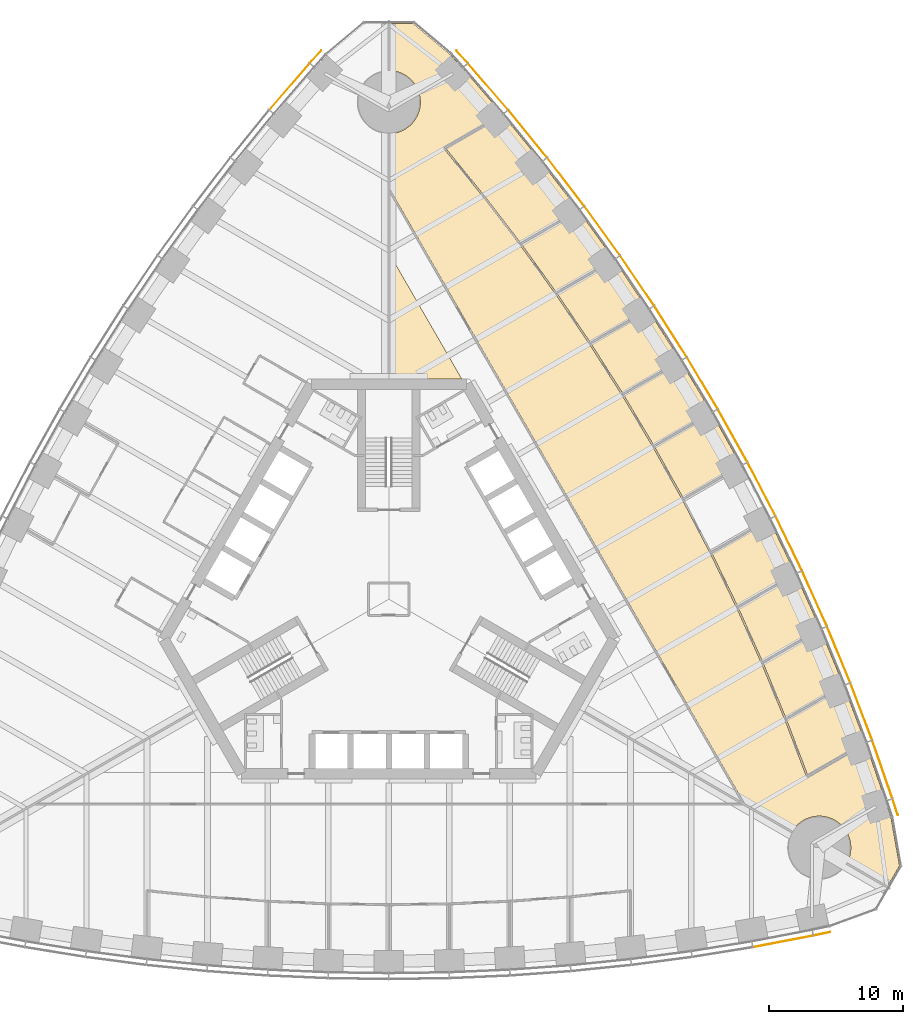
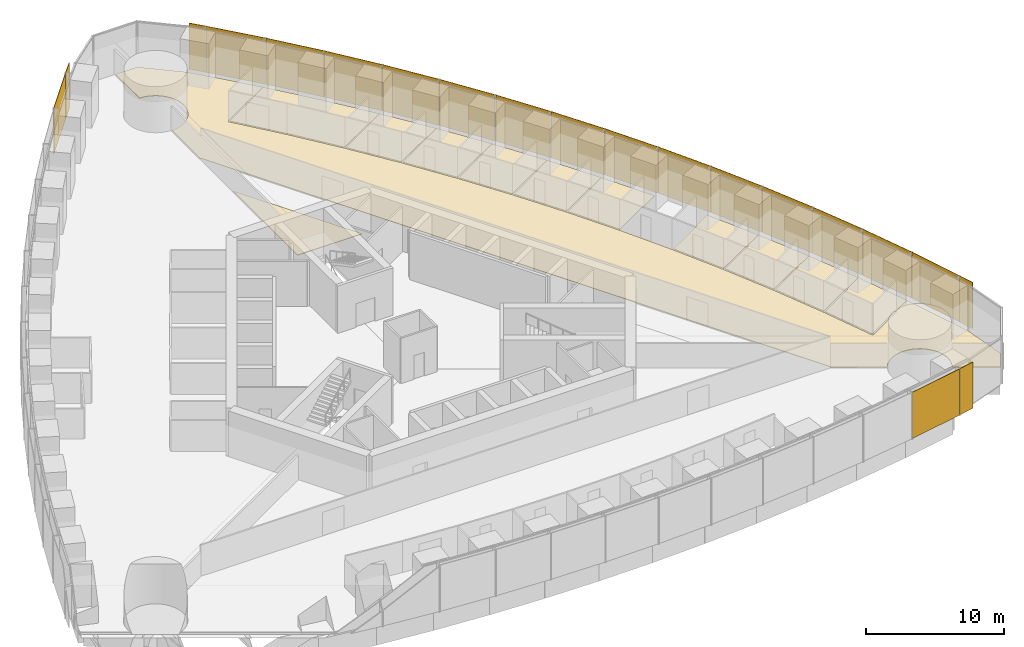
# One storey, part 16 of 18: 20 shading devices, 12 coverings.
"""IFC4 building model written with IfcOpenShell, lengths in metres."""

import ifcopenshell
import ifcopenshell.guid

model = None  # the IFC model being written
_history = None  # IfcOwnerHistory: only IFC2X3 demands one
_inside = {}  # id of a spatial element -> (the spatial element, [elements in it])
_under = {}  # id of a project, library or spatial element -> (it, [spatial elements below it])
_declared = {}  # id of a project -> (the project, [libraries it declares])
_typed = {}  # id of a type object -> (the type object, [elements of that type])
_made_of = {}  # id of a material, layer set ... -> (it, [elements and type objects made of it])


def new_model(schema):
    """Start an empty IFC model of exactly this schema.

    Asked for "IFC4X3", IfcOpenShell would pick the latest addendum, in which some entities
    have other attributes; the version numbers below select the first issue.
    IFC2X3 requires an IfcOwnerHistory on every rooted entity: one is made here for all.
    """
    global model, _history
    if schema == "IFC4X3":
        model = ifcopenshell.file(schema_version=(4, 3, 0, 0))
    else:
        model = ifcopenshell.file(schema=schema)
    _inside.clear()
    _under.clear()
    _declared.clear()
    _typed.clear()
    _made_of.clear()
    _history = None
    if model.schema == "IFC2X3":
        org = make("IfcOrganization", Name="unknown")
        user = make(
            "IfcPersonAndOrganization",
            ThePerson=make("IfcPerson", FamilyName="unknown"),
            TheOrganization=org,
        )
        app = make(
            "IfcApplication",
            ApplicationDeveloper=org,
            Version="unknown",
            ApplicationFullName="unknown",
            ApplicationIdentifier="unknown",
        )
        _history = make(
            "IfcOwnerHistory",
            OwningUser=user,
            OwningApplication=app,
            ChangeAction="ADDED",
            CreationDate=0,
        )
    return model


def make(cls, **values):
    """One entity of the class cls with the attributes given. An attribute that is None is left unset."""
    return model.create_entity(
        cls, **{name: value for name, value in values.items() if value is not None}
    )


def rooted(cls, **values):
    """An entity with a GlobalId (a new one), such as an element, a storey or a relation."""
    return make(cls, GlobalId=ifcopenshell.guid.new(), OwnerHistory=_history, **values)


def si_unit(unit_type, name, prefix=None):
    """IfcSIUnit, for example si_unit("LENGTHUNIT", "METRE", prefix="MILLI")."""
    return make("IfcSIUnit", UnitType=unit_type, Prefix=prefix, Name=name)


def assignment(units):
    """IfcUnitAssignment: the units of a project."""
    return None if units is None else make("IfcUnitAssignment", Units=units)


def point(xyz):
    """IfcCartesianPoint."""
    return None if xyz is None else make("IfcCartesianPoint", Coordinates=xyz)


def direction(xyz):
    """IfcDirection."""
    return None if xyz is None else make("IfcDirection", DirectionRatios=xyz)


def frame(location, z_axis=None, x_axis=None):
    """IfcAxis2Placement3D, a coordinate frame: its origin and axes. An axis left out is left unset."""
    return make(
        "IfcAxis2Placement3D",
        Location=point(location),
        Axis=direction(z_axis),
        RefDirection=direction(x_axis),
    )


def frame_2d(location, x_axis=None):
    """IfcAxis2Placement2D, a coordinate frame in the plane: its origin and x axis."""
    return make(
        "IfcAxis2Placement2D", Location=point(location), RefDirection=direction(x_axis)
    )


def origin():
    """The frame at (0, 0, 0) with its axes left unset."""
    return frame((0.0, 0.0, 0.0))


def origin_2d():
    """The frame at (0, 0) in the plane with its x axis left unset."""
    return frame_2d((0.0, 0.0))


def place(relative_to, where):
    """IfcLocalPlacement: puts the frame where relative to a parent placement (None: the world)."""
    return make(
        "IfcLocalPlacement", PlacementRelTo=relative_to, RelativePlacement=where
    )


def context(
    kind, dimensions, precision=None, world=None, true_north=None, identifier=None
):
    """IfcGeometricRepresentationContext, for example the 3D "Model" context."""
    return make(
        "IfcGeometricRepresentationContext",
        ContextIdentifier=identifier,
        ContextType=kind,
        CoordinateSpaceDimension=dimensions,
        Precision=precision,
        WorldCoordinateSystem=world,
        TrueNorth=true_north,
    )


def subcontext(parent, identifier, kind, view, scale=None):
    """IfcGeometricRepresentationSubContext, for example "Body" below "Model"."""
    return make(
        "IfcGeometricRepresentationSubContext",
        ContextIdentifier=identifier,
        ContextType=kind,
        ParentContext=parent,
        TargetScale=scale,
        TargetView=view,
    )


def project(units=None, contexts=None):
    """IfcProject with its units and contexts."""
    return rooted(
        "IfcProject",
        Name="project",
        RepresentationContexts=contexts,
        UnitsInContext=assignment(units),
    )


def spatial(cls, under=None, at=None, **own):
    """A site, building, storey or space (cls), placed at a placement, below another one or the project."""
    s = rooted(cls, ObjectPlacement=at, **own)
    if under is not None:
        _under.setdefault(under.id(), (under, []))[1].append(s)
    return s


def polyline(points):
    """IfcPolyline through the points."""
    return make("IfcPolyline", Points=[point(p) for p in points])


def profile(cls, at=None, kind="AREA", **sizes):
    """A parametric profile (cls). Its sizes go by their IFC names, for example OverallWidth=200.0."""
    return make(cls, ProfileType=kind, Position=at, **sizes)


def rectangle(**sizes):
    """IfcRectangleProfileDef."""
    return profile("IfcRectangleProfileDef", **sizes)


def outline(outer, holes=None, kind="AREA"):
    """IfcArbitraryClosedProfileDef: a profile drawn as a closed curve; with holes, ...WithVoids."""
    if holes is None:
        return make("IfcArbitraryClosedProfileDef", ProfileType=kind, OuterCurve=outer)
    return make(
        "IfcArbitraryProfileDefWithVoids",
        ProfileType=kind,
        OuterCurve=outer,
        InnerCurves=holes,
    )


def extrude(swept, where, along, depth):
    """IfcExtrudedAreaSolid: the profile swept, set in the frame where, extruded along a direction by depth."""
    return make(
        "IfcExtrudedAreaSolid",
        SweptArea=swept,
        Position=where,
        ExtrudedDirection=direction(along),
        Depth=depth,
    )


def shape(context_of_items, identifier, shape_type, items):
    """IfcShapeRepresentation: the items that make up one representation, for example the "Body"."""
    return make(
        "IfcShapeRepresentation",
        ContextOfItems=context_of_items,
        RepresentationIdentifier=identifier,
        RepresentationType=shape_type,
        Items=items,
    )


def material(Name=None, Category=None):
    """IfcMaterial."""
    return make("IfcMaterial", Name=Name, Category=Category)


def layer(
    of_material, thickness, ventilated=None, Name=None, Category=None, Priority=None
):
    """IfcMaterialLayer: one layer of a wall or slab, of a material (None: an air gap)."""
    return make(
        "IfcMaterialLayer",
        Material=of_material,
        LayerThickness=thickness,
        IsVentilated=ventilated,
        Name=Name,
        Category=Category,
        Priority=Priority,
    )


def layer_set(layers, Name=None):
    """IfcMaterialLayerSet."""
    return make("IfcMaterialLayerSet", MaterialLayers=layers, LayerSetName=Name)


def made_of(thing, what):
    """Note that an element or type object is made of a material, layer set ...; save() writes the relation."""
    if what is not None:
        _made_of.setdefault(what.id(), (what, []))[1].append(thing)
    return thing


def type_object(cls, material=None, **own):
    """A type object (cls), such as IfcWallType, which elements share."""
    return made_of(rooted(cls, **own), material)


def element(
    cls,
    number,
    at=None,
    inside=None,
    cuts=None,
    type_object=None,
    material=None,
    context=None,
    identifier="Body",
    shape_type=None,
    held_by="IfcProductDefinitionShape",
    body=None,
    shapes=None,
    **own,
):
    """One element of the class cls, such as IfcWall. Its Tag is "e" and its number.

    at: its placement. inside: the storey or other place that contains it. cuts: it is an
    opening in that element (IfcRelVoidsElement). A single representation is given by context,
    identifier, shape_type and body (its items); several are given by shapes. held_by: the class
    of the entity that holds the representations. save() writes the other relations.
    """
    e = rooted(cls, Tag="e%d" % number, ObjectPlacement=at, **own)
    if body is not None:
        shapes = [shape(context, identifier, shape_type, body)]
    if shapes is not None:
        e.Representation = make(held_by, Representations=shapes)
    if inside is not None:
        _inside.setdefault(inside.id(), (inside, []))[1].append(e)
    if cuts is not None:
        rooted(
            "IfcRelVoidsElement", RelatingBuildingElement=cuts, RelatedOpeningElement=e
        )
    if type_object is not None:
        _typed.setdefault(type_object.id(), (type_object, []))[1].append(e)
    return made_of(e, material)


def aggregate(whole, parts):
    """IfcRelAggregates: a whole, such as a stair, and the parts it consists of."""
    return rooted("IfcRelAggregates", RelatingObject=whole, RelatedObjects=parts)


def save(model, path):
    """Write the relations noted so far, then the file.

    IfcRelAggregates (storeys below a building ...), IfcRelContainedInSpatialStructure (elements
    in a storey), IfcRelDefinesByType, IfcRelAssociatesMaterial and IfcRelDeclares: one each for
    every whole, place, type object, material and project.
    """
    for whole, parts in _under.values():
        aggregate(whole, parts)
    for where, things in _inside.values():
        rooted(
            "IfcRelContainedInSpatialStructure",
            RelatedElements=things,
            RelatingStructure=where,
        )
    for kind, things in _typed.values():
        rooted("IfcRelDefinesByType", RelatedObjects=things, RelatingType=kind)
    for what, things in _made_of.values():
        rooted("IfcRelAssociatesMaterial", RelatedObjects=things, RelatingMaterial=what)
    for by, libraries in _declared.values():
        rooted("IfcRelDeclares", RelatingContext=by, RelatedDefinitions=libraries)
    model.write(path)


model = new_model("IFC4")

# Units and contexts
model_context = context("Model", 3, precision=1e-05, world=origin(), true_north=direction((0.0, 1.0)))
body_context = subcontext(model_context, "Body", "Model", "MODEL_VIEW")
ifc_project = project(units=[si_unit("LENGTHUNIT", "METRE"), si_unit("AREAUNIT", "SQUARE_METRE"), si_unit("VOLUMEUNIT", "CUBIC_METRE"), si_unit("PLANEANGLEUNIT", "RADIAN"), si_unit("MASSUNIT", "GRAM", prefix="KILO")], contexts=[model_context])

# Site, building, storey
site_placement = place(None, origin())
site = spatial("IfcSite", under=ifc_project, at=site_placement, CompositionType="ELEMENT")
building_placement = place(site_placement, origin())
building = spatial("IfcBuilding", under=site, at=building_placement, Name="Trefoil Bronze Tower", CompositionType="ELEMENT")
storey_placement = place(building_placement, frame((0.0, 0.0, 62.699951171875)))
storey = spatial("IfcBuildingStorey", under=building, at=storey_placement, Name="L14", CompositionType="ELEMENT", Elevation=62.699951171875)

# Shading devices
ifc_material_1 = material(Name="Perforated bronze sheet", Category="bronze")
ifc_layer_1 = layer(ifc_material_1, 0.0400390625)
ifc_layer_set_1 = layer_set([ifc_layer_1], Name="Bronze solar screen panel")
shading_device_type = type_object("IfcShadingDeviceType", Name="Bronze solar screen panel", PredefinedType="SHUTTER", material=ifc_layer_set_1)
shading_device_1_placement = place(storey_placement, frame((29.351806640625, -25.478515625, 0.050048828125), z_axis=(0.0, 0.0, 1.0), x_axis=(0.982049823817, 0.188621694249, 0.0)))
element("IfcShadingDevice", 1, at=shading_device_1_placement, inside=storey, type_object=shading_device_type, Name="Solar screen CW-A L14 F1 bay 15", PredefinedType="SHUTTER", context=body_context, shape_type="SweptSolid", body=[
    extrude(rectangle(XDim=4.55224609375, YDim=0.0400390625, at=origin_2d()), origin(), (0.0, 0.0, 1.0), 4.10009765625),
])
for number, where, z_axis, x_axis, name in (
    (2, (32.2431640625, -24.91064453125, 0.050048828125), (0.0, 0.0, 1.0), (0.978302717041, 0.207180582657, 0.0), "Solar screen CW-A L14 F1 bay 16"),
    (3, (37.69482421875, -15.468017578125, 0.050048828125), (0.0, 0.0, 1.0), (-0.309727710769, 0.950825296877, 0.0), "Solar screen CW-A L14 F2 bay 1"),
):
    element("IfcShadingDevice", number, at=place(storey_placement, frame(where, z_axis=z_axis, x_axis=x_axis)), inside=storey, type_object=shading_device_type, Name=name, PredefinedType="SHUTTER", context=body_context, shape_type="SweptSolid", body=[
        extrude(rectangle(XDim=1.260498046875, YDim=0.0400390625, at=origin_2d()), origin(), (0.0, 0.0, 1.0), 4.10009765625),
    ])
shading_device_2_placement = place(storey_placement, frame((36.740966796875, -12.68017578125, 0.050048828125), z_axis=(0.0, 0.0, 1.0), x_axis=(-0.327673732984, 0.944790942332, 0.0)))
element("IfcShadingDevice", 4, at=shading_device_2_placement, inside=storey, type_object=shading_device_type, Name="Solar screen CW-A L14 F2 bay 2", PredefinedType="SHUTTER", context=body_context, shape_type="SweptSolid", body=[
    extrude(rectangle(XDim=4.55224609375, YDim=0.0400390625, at=origin_2d()), origin(), (0.0, 0.0, 1.0), 4.10009765625),
])
shading_device_3_placement = place(storey_placement, frame((35.1748046875, -8.3701171875, 0.050048828125), z_axis=(0.0, 0.0, 1.0), x_axis=(-0.355370585687, 0.934725492767, 0.0)))
element("IfcShadingDevice", 5, at=shading_device_3_placement, inside=storey, type_object=shading_device_type, Name="Solar screen CW-A L14 F2 bay 3", PredefinedType="SHUTTER", context=body_context, shape_type="SweptSolid", body=[
    extrude(rectangle(XDim=4.5283203125, YDim=0.0400390625, at=origin_2d()), origin(), (0.0, 0.0, 1.0), 4.10009765625),
])
shading_device_4_placement = place(storey_placement, frame((33.49072265625, -4.128173828125, 0.050048828125), z_axis=(0.0, 0.0, 1.0), x_axis=(-0.382629580712, 0.923901836758, 0.0)))
element("IfcShadingDevice", 6, at=shading_device_4_placement, inside=storey, type_object=shading_device_type, Name="Solar screen CW-A L14 F2 bay 4", PredefinedType="SHUTTER", context=body_context, shape_type="SweptSolid", body=[
    extrude(rectangle(XDim=4.5087890625, YDim=0.0400390625, at=origin_2d()), origin(), (0.0, 0.0, 1.0), 4.10009765625),
])
shading_device_5_placement = place(storey_placement, frame((31.68994140625, 0.04638671875, 0.050048828125), z_axis=(0.0, 0.0, 1.0), x_axis=(-0.40945635808, 0.912329705111, 0.0)))
element("IfcShadingDevice", 7, at=shading_device_5_placement, inside=storey, type_object=shading_device_type, Name="Solar screen CW-A L14 F2 bay 5", PredefinedType="SHUTTER", context=body_context, shape_type="SweptSolid", body=[
    extrude(rectangle(XDim=4.493408203125, YDim=0.0400390625, at=origin_2d()), origin(), (0.0, 0.0, 1.0), 4.10009765625),
])
shading_device_6_placement = place(storey_placement, frame((29.77392578125, 4.154541015625, 0.050048828125), z_axis=(0.0, 0.0, 1.0), x_axis=(-0.4358553457, 0.900016731858, 0.0)))
element("IfcShadingDevice", 8, at=shading_device_6_placement, inside=storey, type_object=shading_device_type, Name="Solar screen CW-A L14 F2 bay 6", PredefinedType="SHUTTER", context=body_context, shape_type="SweptSolid", body=[
    extrude(rectangle(XDim=4.48193359375, YDim=0.0400390625, at=origin_2d()), origin(), (0.0, 0.0, 1.0), 4.10009765625),
])
shading_device_7_placement = place(storey_placement, frame((27.74365234375, 8.1962890625, 0.050048828125), z_axis=(0.0, 0.0, 1.0), x_axis=(-0.46182981834, 0.886968555752, 0.0)))
element("IfcShadingDevice", 9, at=shading_device_7_placement, inside=storey, type_object=shading_device_type, Name="Solar screen CW-A L14 F2 bay 7", PredefinedType="SHUTTER", context=body_context, shape_type="SweptSolid", body=[
    extrude(rectangle(XDim=4.474365234375, YDim=0.0400390625, at=origin_2d()), origin(), (0.0, 0.0, 1.0), 4.10009765625),
])
for number, where, z_axis, x_axis, name in (
    (10, (25.599365234375, 12.172607421875, 0.050048828125), (0.0, 0.0, 1.0), (-0.487381940453, 0.873188893722, 0.0), "Solar screen CW-A L14 F2 bay 8"),
    (11, (23.341552734375, 16.083251953125, 0.050048828125), (0.0, 0.0, 1.0), (-0.51251279404, 0.858679588639, 0.0), "Solar screen CW-A L14 F2 bay 9"),
):
    element("IfcShadingDevice", number, at=place(storey_placement, frame(where, z_axis=z_axis, x_axis=x_axis)), inside=storey, type_object=shading_device_type, Name=name, PredefinedType="SHUTTER", context=body_context, shape_type="SweptSolid", body=[
        extrude(rectangle(XDim=4.470458984375, YDim=0.0400390625, at=origin_2d()), origin(), (0.0, 0.0, 1.0), 4.10009765625),
    ])
shading_device_8_placement = place(storey_placement, frame((20.97021484375, 19.928466796875, 0.050048828125), z_axis=(0.0, 0.0, 1.0), x_axis=(-0.537222392469, 0.843440632783, 0.0)))
element("IfcShadingDevice", 12, at=shading_device_8_placement, inside=storey, type_object=shading_device_type, Name="Solar screen CW-A L14 F2 bay 10", PredefinedType="SHUTTER", context=body_context, shape_type="SweptSolid", body=[
    extrude(rectangle(XDim=4.474365234375, YDim=0.0400390625, at=origin_2d()), origin(), (0.0, 0.0, 1.0), 4.10009765625),
])
shading_device_9_placement = place(storey_placement, frame((18.48486328125, 23.707763671875, 0.050048828125), z_axis=(0.0, 0.0, 1.0), x_axis=(-0.56150968077, 0.827470167681, 0.0)))
element("IfcShadingDevice", 13, at=shading_device_9_placement, inside=storey, type_object=shading_device_type, Name="Solar screen CW-A L14 F2 bay 11", PredefinedType="SHUTTER", context=body_context, shape_type="SweptSolid", body=[
    extrude(rectangle(XDim=4.48193359375, YDim=0.0400390625, at=origin_2d()), origin(), (0.0, 0.0, 1.0), 4.10009765625),
])
shading_device_10_placement = place(storey_placement, frame((15.88525390625, 27.421142578125, 0.050048828125), z_axis=(0.0, 0.0, 1.0), x_axis=(-0.585372522213, 0.810764460394, 0.0)))
element("IfcShadingDevice", 14, at=shading_device_10_placement, inside=storey, type_object=shading_device_type, Name="Solar screen CW-A L14 F2 bay 12", PredefinedType="SHUTTER", context=body_context, shape_type="SweptSolid", body=[
    extrude(rectangle(XDim=4.493408203125, YDim=0.0400390625, at=origin_2d()), origin(), (0.0, 0.0, 1.0), 4.10009765625),
])
shading_device_11_placement = place(storey_placement, frame((13.170166015625, 31.06787109375, 0.050048828125), z_axis=(0.0, 0.0, 1.0), x_axis=(-0.608807670879, 0.793317855515, 0.0)))
element("IfcShadingDevice", 15, at=shading_device_11_placement, inside=storey, type_object=shading_device_type, Name="Solar screen CW-A L14 F2 bay 13", PredefinedType="SHUTTER", context=body_context, shape_type="SweptSolid", body=[
    extrude(rectangle(XDim=4.5087890625, YDim=0.0400390625, at=origin_2d()), origin(), (0.0, 0.0, 1.0), 4.10009765625),
])
shading_device_12_placement = place(storey_placement, frame((10.338623046875, 34.6474609375, 0.050048828125), z_axis=(0.0, 0.0, 1.0), x_axis=(-0.631810729457, 0.775122701346, 0.0)))
element("IfcShadingDevice", 16, at=shading_device_12_placement, inside=storey, type_object=shading_device_type, Name="Solar screen CW-A L14 F2 bay 14", PredefinedType="SHUTTER", context=body_context, shape_type="SweptSolid", body=[
    extrude(rectangle(XDim=4.5283203125, YDim=0.0400390625, at=origin_2d()), origin(), (0.0, 0.0, 1.0), 4.10009765625),
])
shading_device_13_placement = place(storey_placement, frame((7.38916015625, 38.15869140625, 0.050048828125), z_axis=(0.0, 0.0, 1.0), x_axis=(-0.654376090833, 0.756169248083, 0.0)))
element("IfcShadingDevice", 17, at=shading_device_13_placement, inside=storey, type_object=shading_device_type, Name="Solar screen CW-A L14 F2 bay 15", PredefinedType="SHUTTER", context=body_context, shape_type="SweptSolid", body=[
    extrude(rectangle(XDim=4.55224609375, YDim=0.0400390625, at=origin_2d()), origin(), (0.0, 0.0, 1.0), 4.10009765625),
])
for number, where, z_axis, x_axis, name in (
    (18, (5.45166015625, 40.378662109375, 0.050048828125), (0.0, 0.0, 1.0), (-0.668575006272, 0.743644714221, 0.0), "Solar screen CW-A L14 F2 bay 16"),
    (19, (-5.45166015625, 40.378662109375, 0.050048828125), (0.0, 0.0, 1.0), (-0.668575006272, -0.743644714221, 0.0), "Solar screen CW-A L14 F3 bay 1"),
):
    element("IfcShadingDevice", number, at=place(storey_placement, frame(where, z_axis=z_axis, x_axis=x_axis)), inside=storey, type_object=shading_device_type, Name=name, PredefinedType="SHUTTER", context=body_context, shape_type="SweptSolid", body=[
        extrude(rectangle(XDim=1.260498046875, YDim=0.0400390625, at=origin_2d()), origin(), (0.0, 0.0, 1.0), 4.10009765625),
    ])
shading_device_14_placement = place(storey_placement, frame((-7.38916015625, 38.15869140625, 0.050048828125), z_axis=(0.0, 0.0, 1.0), x_axis=(-0.654376090833, -0.756169248083, 0.0)))
element("IfcShadingDevice", 20, at=shading_device_14_placement, inside=storey, type_object=shading_device_type, Name="Solar screen CW-A L14 F3 bay 2", PredefinedType="SHUTTER", context=body_context, shape_type="SweptSolid", body=[
    extrude(rectangle(XDim=4.55224609375, YDim=0.0400390625, at=origin_2d()), origin(), (0.0, 0.0, 1.0), 4.10009765625),
])

# Coverings
ifc_material_2 = material(Name="Raised access floor panels", Category="steel")
ifc_layer_2 = layer(ifc_material_2, 0.050048828125)
ifc_layer_set_2 = layer_set([ifc_layer_2], Name="Raised access floor 150")
covering_type = type_object("IfcCoveringType", Name="Raised access floor 150", PredefinedType="FLOORING", material=ifc_layer_set_2)
covering_1_placement = place(storey_placement, frame((0.0, 0.0, 0.10009765625)))
element("IfcCovering", 21, at=covering_1_placement, inside=storey, type_object=covering_type, Name="Raised floor L14 Library F2", PredefinedType="FLOORING", context=body_context, shape_type="SweptSolid", body=[
    extrude(outline(polyline([(11.360107421875, 32.53955078125), (14.123291015625, 28.938720703125), (12.7021484375, 28.1181640625), (12.672119140625, 28.170166015625), (9.808837890625, 26.51708984375), (7.07763671875, 30.076171875), (7.030029296875, 30.03955078125), (7.076416015625, 30.077392578125), (4.240966796875, 33.55615234375), (7.07666015625, 35.193359375), (7.046630859375, 35.245361328125), (8.47998046875, 36.072998046875), (11.360107421875, 32.53955078125)])), origin(), (0.0, 0.0, 1.0), 0.050048828125),
])
covering_2_placement = place(storey_placement, frame((0.0, 0.0, 0.10009765625)))
element("IfcCovering", 22, at=covering_2_placement, inside=storey, type_object=covering_type, Name="Raised floor L14 Office F2", PredefinedType="FLOORING", context=body_context, shape_type="SweptSolid", body=[
    extrude(outline(polyline([(16.771240234375, 25.271484375), (15.354248046875, 24.453369140625), (15.32421875, 24.505126953125), (12.4580078125, 22.850341796875), (9.880859375, 26.419921875), (12.732177734375, 28.06640625), (12.7021484375, 28.1181640625), (14.123291015625, 28.938720703125), (16.771240234375, 25.271484375)])), origin(), (0.0, 0.0, 1.0), 0.050048828125),
])
covering_3_placement = place(storey_placement, frame((0.0, 0.0, 0.10009765625)))
element("IfcCovering", 23, at=covering_3_placement, inside=storey, type_object=covering_type, Name="Raised floor L14 Office F2", PredefinedType="FLOORING", context=body_context, shape_type="SweptSolid", body=[
    extrude(outline(polyline([(16.771240234375, 25.271484375), (19.3046875, 21.537841796875), (17.890869140625, 20.721435546875), (17.86083984375, 20.7734375), (14.992919921875, 19.117919921875), (12.527099609375, 22.751708984375), (15.38427734375, 24.4013671875), (15.354248046875, 24.453369140625), (16.771240234375, 25.271484375)])), origin(), (0.0, 0.0, 1.0), 0.050048828125),
])
covering_4_placement = place(storey_placement, frame((0.0, 0.0, 0.10009765625)))
element("IfcCovering", 24, at=covering_4_placement, inside=storey, type_object=covering_type, Name="Raised floor L14 Office F2", PredefinedType="FLOORING", context=body_context, shape_type="SweptSolid", body=[
    extrude(outline(polyline([(21.724609375, 17.73876953125), (20.312255859375, 16.923583984375), (20.2822265625, 16.975341796875), (17.414306640625, 15.319580078125), (15.058837890625, 19.017333984375), (17.9208984375, 20.669677734375), (17.890869140625, 20.721435546875), (19.3046875, 21.537841796875), (21.724609375, 17.73876953125)])), origin(), (0.0, 0.0, 1.0), 0.050048828125),
])
covering_5_placement = place(storey_placement, frame((0.0, 0.0, 0.10009765625)))
element("IfcCovering", 25, at=covering_5_placement, inside=storey, type_object=covering_type, Name="Raised floor L14 Office F2", PredefinedType="FLOORING", context=body_context, shape_type="SweptSolid", body=[
    extrude(outline(polyline([(21.724609375, 17.73876953125), (24.031005859375, 13.87451171875), (22.619384765625, 13.059326171875), (22.589599609375, 13.111328125), (19.72216796875, 11.455810546875), (17.47705078125, 15.21728515625), (20.34228515625, 16.87158203125), (20.312255859375, 16.923583984375), (21.724609375, 17.73876953125)])), origin(), (0.0, 0.0, 1.0), 0.050048828125),
])
covering_6_placement = place(storey_placement, frame((0.0, 0.0, 0.10009765625)))
element("IfcCovering", 26, at=covering_6_placement, inside=storey, type_object=covering_type, Name="Raised floor L14 Office F2", PredefinedType="FLOORING", context=body_context, shape_type="SweptSolid", body=[
    extrude(outline(polyline([(24.031005859375, 13.87451171875), (26.224609375, 9.944580078125), (24.812255859375, 9.12939453125), (24.7822265625, 9.18115234375), (21.9169921875, 7.527099609375), (19.7822265625, 11.35205078125), (22.6494140625, 13.00732421875), (22.619384765625, 13.059326171875), (24.031005859375, 13.87451171875)])), origin(), (0.0, 0.0, 1.0), 0.050048828125),
])
covering_7_placement = place(storey_placement, frame((0.0, 0.0, 0.10009765625)))
element("IfcCovering", 27, at=covering_7_placement, inside=storey, type_object=covering_type, Name="Raised floor L14 Office F2", PredefinedType="FLOORING", context=body_context, shape_type="SweptSolid", body=[
    extrude(outline(polyline([(28.3046875, 5.949462890625), (30.271240234375, 1.888671875), (28.854248046875, 1.070556640625), (28.82421875, 1.12255859375), (25.967041015625, -0.527099609375), (24.052978515625, 3.42529296875), (26.9208984375, 5.0810546875), (26.890869140625, 5.133056640625), (28.3046875, 5.949462890625)])), origin(), (0.0, 0.0, 1.0), 0.050048828125),
])
covering_8_placement = place(storey_placement, frame((0.0, 0.0, 0.10009765625)))
element("IfcCovering", 28, at=covering_8_placement, inside=storey, type_object=covering_type, Name="Raised floor L14 Office F2", PredefinedType="FLOORING", context=body_context, shape_type="SweptSolid", body=[
    extrude(outline(polyline([(32.123291015625, -2.23828125), (30.7021484375, -3.05859375), (30.672119140625, -3.006591796875), (27.82080078125, -4.653076171875), (26.01806640625, -0.63623046875), (28.88427734375, 1.0185546875), (28.854248046875, 1.070556640625), (30.271240234375, 1.888671875), (32.123291015625, -2.23828125)])), origin(), (0.0, 0.0, 1.0), 0.050048828125),
])
covering_9_placement = place(storey_placement, frame((0.0, 0.0, 0.10009765625)))
element("IfcCovering", 29, at=covering_9_placement, inside=storey, type_object=covering_type, Name="Raised floor L14 Meeting room F2", PredefinedType="FLOORING", context=body_context, shape_type="SweptSolid", body=[
    extrude(outline(polyline([(32.123291015625, -2.23828125), (33.860107421875, -6.431640625), (32.43359375, -7.25537109375), (32.403564453125, -7.203369140625), (29.55908203125, -8.845458984375), (27.868896484375, -4.763916015625), (30.732177734375, -3.110595703125), (30.7021484375, -3.05859375), (32.123291015625, -2.23828125)])), origin(), (0.0, 0.0, 1.0), 0.050048828125),
])
covering_10_placement = place(storey_placement, frame((0.0, 0.0, 0.10009765625)))
element("IfcCovering", 30, at=covering_10_placement, inside=storey, type_object=covering_type, Name="Raised floor L14 Meeting room F2", PredefinedType="FLOORING", context=body_context, shape_type="SweptSolid", body=[
    extrude(outline(polyline([(33.860107421875, -6.431640625), (35.47998046875, -10.6923828125), (34.046630859375, -11.52001953125), (34.0166015625, -11.468017578125), (31.180908203125, -13.105224609375), (29.604248046875, -8.9580078125), (32.46337890625, -7.30712890625), (32.43359375, -7.25537109375), (33.860107421875, -6.431640625)])), origin(), (0.0, 0.0, 1.0), 0.050048828125),
])
covering_11_placement = place(storey_placement, frame((0.0, 0.0, 0.10009765625)))
element("IfcCovering", 31, at=covering_11_placement, inside=storey, type_object=covering_type, Name="Raised floor L14 Open-plan office F2", PredefinedType="FLOORING", context=body_context, shape_type="SweptSolid", body=[
    extrude(outline(polyline([(8.47998046875, 36.072998046875), (7.046630859375, 35.245361328125), (7.0166015625, 35.29736328125), (4.119873046875, 33.624755859375), (4.14990234375, 33.572998046875), (4.103515625, 33.534912109375), (6.693603515625, 30.357177734375), (7.260498046875, 29.640869140625), (9.7451171875, 26.40283203125), (12.39208984375, 22.73681640625), (14.924560546875, 19.0048828125), (17.34326171875, 15.207275390625), (19.64892578125, 11.344482421875), (21.841552734375, 7.416015625), (23.9208984375, 3.422607421875), (25.88671875, -0.63671875), (27.73828125, -4.761962890625), (29.47412109375, -8.953857421875), (31.09375, -13.2138671875), (31.14990234375, -13.1923828125), (31.179931640625, -13.244384765625), (34.07666015625, -11.572021484375), (34.046630859375, -11.52001953125), (35.47998046875, -10.6923828125), (36.9814453125, -15.021728515625), (37.381103515625, -16.248779296875), (38.0146484375, -19.841552734375), (37.110595703125, -21.4072265625), (34.084716796875, -19.661865234375), (34.115478515625, -19.60791015625), (34.167236328125, -19.5048828125), (34.214111328125, -19.3994140625), (34.255615234375, -19.291748046875), (34.291748046875, -19.18212890625), (34.322509765625, -19.071044921875), (34.347900390625, -18.95849609375), (34.367431640625, -18.8447265625), (34.381591796875, -18.730224609375), (34.39013671875, -18.615234375), (34.392822265625, -18.5), (34.39013671875, -18.384765625), (34.381591796875, -18.269775390625), (34.367431640625, -18.1552734375), (34.347900390625, -18.04150390625), (34.322509765625, -17.928955078125), (34.291748046875, -17.81787109375), (34.255615234375, -17.708251953125), (34.214111328125, -17.6005859375), (34.167236328125, -17.4951171875), (34.115478515625, -17.39208984375), (34.05859375, -17.2919921875), (33.996826171875, -17.1943359375), (33.930419921875, -17.10009765625), (33.859619140625, -17.00927734375), (33.7841796875, -16.921875), (33.70458984375, -16.83837890625), (33.62109375, -16.7587890625), (33.53369140625, -16.683349609375), (33.44287109375, -16.612548828125), (33.348388671875, -16.5458984375), (33.251220703125, -16.484375), (33.150634765625, -16.427490234375), (33.047607421875, -16.37548828125), (32.942138671875, -16.328857421875), (32.834716796875, -16.287353515625), (32.72509765625, -16.251220703125), (32.614013671875, -16.220458984375), (32.50146484375, -16.1953125), (32.3876953125, -16.17529296875), (32.273193359375, -16.161376953125), (32.158203125, -16.15283203125), (32.04296875, -16.14990234375), (31.927490234375, -16.15283203125), (31.8125, -16.161376953125), (31.697998046875, -16.17529296875), (31.58447265625, -16.1953125), (31.471923828125, -16.220458984375), (31.36083984375, -16.251220703125), (31.251220703125, -16.287353515625), (31.1435546875, -16.328857421875), (31.0380859375, -16.37548828125), (30.935302734375, -16.427490234375), (30.834716796875, -16.484375), (30.7373046875, -16.5458984375), (30.64306640625, -16.612548828125), (30.552001953125, -16.683349609375), (30.46484375, -16.7587890625), (30.381103515625, -16.83837890625), (30.3017578125, -16.921875), (30.226318359375, -17.00927734375), (30.155517578125, -17.10009765625), (30.089111328125, -17.1943359375), (30.02734375, -17.2919921875), (30.0146484375, -17.31396484375), (26.40966796875, -15.234375), (26.466552734375, -15.201416015625), (0.068359375, 30.521484375), (0.011474609375, 30.488525390625), (0.012939453125, 34.650390625), (0.115234375, 34.65283203125), (0.230224609375, 34.661376953125), (0.3447265625, 34.67529296875), (0.45849609375, 34.6953125), (0.571044921875, 34.720458984375), (0.68212890625, 34.751220703125), (0.791748046875, 34.787353515625), (0.8994140625, 34.828857421875), (1.0048828125, 34.87548828125), (1.10791015625, 34.927490234375), (1.2080078125, 34.984375), (1.3056640625, 35.0458984375), (1.39990234375, 35.112548828125), (1.49072265625, 35.183349609375), (1.578125, 35.2587890625), (1.66162109375, 35.33837890625), (1.7412109375, 35.421875), (1.816650390625, 35.50927734375), (1.887451171875, 35.60009765625), (1.9541015625, 35.6943359375), (2.015625, 35.7919921875), (2.072509765625, 35.89208984375), (2.12451171875, 35.9951171875), (2.171142578125, 36.1005859375), (2.212646484375, 36.208251953125), (2.248779296875, 36.31787109375), (2.279541015625, 36.428955078125), (2.3046875, 36.54150390625), (2.32470703125, 36.6552734375), (2.338623046875, 36.769775390625), (2.34716796875, 36.884765625), (2.35009765625, 37.0), (2.34716796875, 37.115234375), (2.338623046875, 37.230224609375), (2.32470703125, 37.3447265625), (2.3046875, 37.45849609375), (2.279541015625, 37.571044921875), (2.248779296875, 37.68212890625), (2.212646484375, 37.791748046875), (2.171142578125, 37.8994140625), (2.12451171875, 38.0048828125), (2.072509765625, 38.10791015625), (2.015625, 38.2080078125), (1.9541015625, 38.3056640625), (1.887451171875, 38.39990234375), (1.816650390625, 38.49072265625), (1.7412109375, 38.578125), (1.66162109375, 38.66162109375), (1.578125, 38.7412109375), (1.49072265625, 38.816650390625), (1.39990234375, 38.887451171875), (1.3056640625, 38.9541015625), (1.2080078125, 39.015625), (1.10791015625, 39.072509765625), (1.0048828125, 39.12451171875), (0.8994140625, 39.171142578125), (0.791748046875, 39.212646484375), (0.68212890625, 39.248779296875), (0.571044921875, 39.279541015625), (0.45849609375, 39.3046875), (0.3447265625, 39.32470703125), (0.230224609375, 39.338623046875), (0.115234375, 39.34716796875), (0.014892578125, 39.349609375), (0.01611328125, 42.84228515625), (1.82421875, 42.84228515625), (4.618896484375, 40.497314453125), (5.4814453125, 39.537841796875), (8.47998046875, 36.072998046875)])), origin(), (0.0, 0.0, 1.0), 0.050048828125),
])
covering_12_placement = place(storey_placement, frame((0.0, 0.0, 0.10009765625)))
element("IfcCovering", 32, at=covering_12_placement, inside=storey, type_object=covering_type, Name="Raised floor L14 Open-plan office F2", PredefinedType="FLOORING", context=body_context, shape_type="SweptSolid", body=[
    extrude(outline(polyline([(0.006103515625, 16.39990234375), (0.009765625, 25.783203125), (5.427001953125, 16.39990234375), (0.006103515625, 16.39990234375)])), origin(), (0.0, 0.0, 1.0), 0.050048828125),
])

save(model, "model.ifc")
